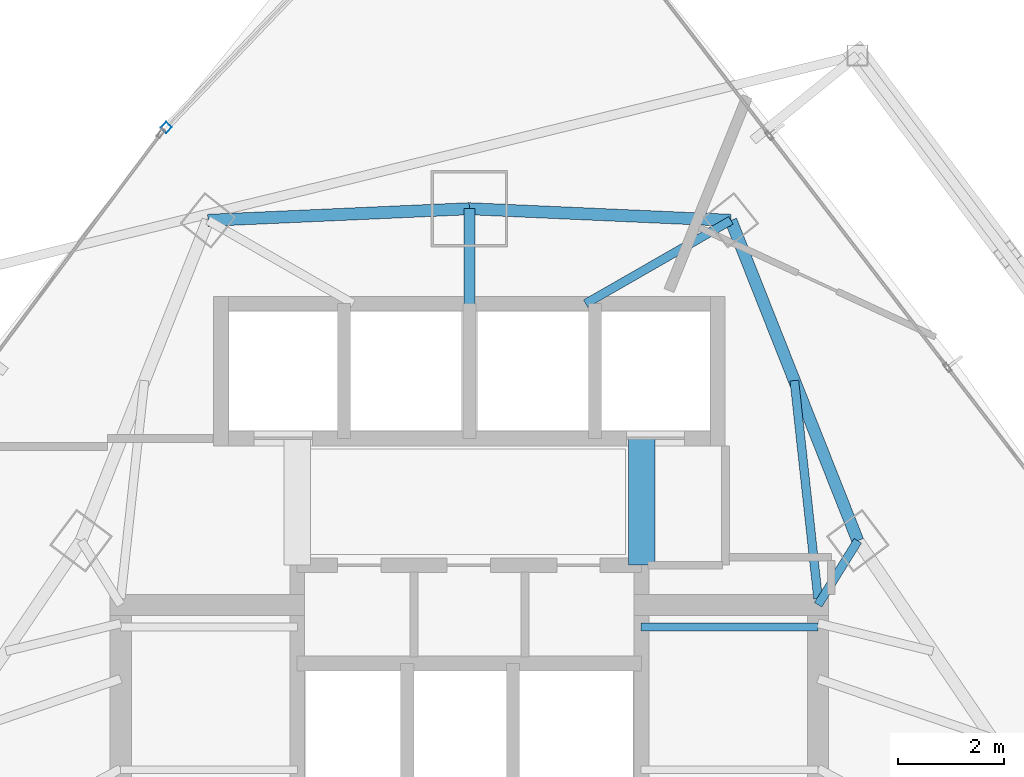
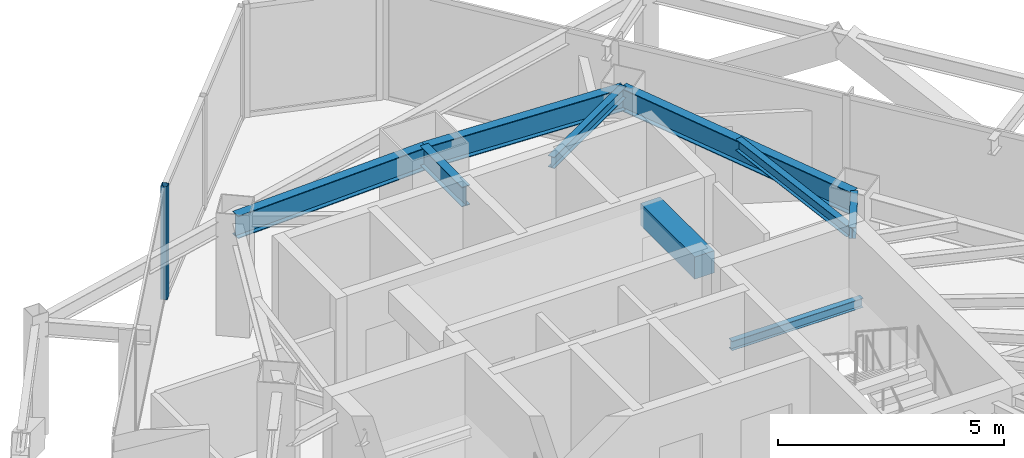
# One storey, part 21 of 31: 9 beams, 1 member, 1 element without a shape of its own.
"""IFC4 building model written with IfcOpenShell, lengths in metres."""

from ifc_helpers import new_model, si_unit, direction, frame, origin, origin_2d, place, context, subcontext, project, spatial, rectangle, hollow_rectangle, i_section, extrude, material, layer, layer_set, material_profile, profile_set, type_object, element, aggregate, save


model = new_model("IFC4")

# Units and contexts
model_context = context("Model", 3, precision=1e-05, world=origin(), true_north=direction((0.0, 1.0)))
body_context = subcontext(model_context, "Body", "Model", "MODEL_VIEW")
ifc_project = project(units=[si_unit("LENGTHUNIT", "METRE"), si_unit("AREAUNIT", "SQUARE_METRE"), si_unit("VOLUMEUNIT", "CUBIC_METRE"), si_unit("PLANEANGLEUNIT", "RADIAN"), si_unit("MASSUNIT", "GRAM", prefix="KILO")], contexts=[model_context])

# Site, building, storey
site_placement = place(None, origin())
site = spatial("IfcSite", under=ifc_project, at=site_placement, CompositionType="ELEMENT")
building_placement = place(site_placement, origin())
building = spatial("IfcBuilding", under=site, at=building_placement, Name="Orvanel Arch Residences", CompositionType="ELEMENT")
storey_placement = place(building_placement, frame((0.0, 0.0, 150.64990234375)))
storey = spatial("IfcBuildingStorey", under=building, at=storey_placement, Name="L42", CompositionType="ELEMENT", Elevation=150.64990234375)

# Beams
ifc_material_1 = material(Name="Structural steel AS/NZS 3679.1 Grade 300 (300 MPa)", Category="steel")
ifc_material_profile_1 = material_profile(ifc_material_1, i_section(OverallWidth=0.208984375, OverallDepth=0.532958984375, WebThickness=0.01025390625, FlangeThickness=0.015625, at=origin_2d()), Name="530UB92.4")
ifc_profile_set_1 = profile_set([ifc_material_profile_1], Name="Structural steel AS/NZS 3679.1 Grade 300 (300 MPa)")
beam_type_1 = type_object("IfcBeamType", Name="BG-530UB", PredefinedType="BEAM", material=ifc_profile_set_1)
beam_1_placement = place(storey_placement, frame((33.0, 39.550048828125, 2.794189453125), z_axis=(0.0, 1.0, 0.0), x_axis=(-1.0, 0.0, 0.0)))
element("IfcBeam", 1, at=beam_1_placement, inside=storey, type_object=beam_type_1, Name="L42 North Radial Girder", PredefinedType="BEAM", context=body_context, shape_type="SweptSolid", body=[
    extrude(i_section(OverallWidth=0.208984375, OverallDepth=0.532958984375, WebThickness=0.01025390625, FlangeThickness=0.015625, at=origin_2d()), origin(), (0.0, 0.0, 1.0), 1.847900390625),
])
ifc_material_profile_2 = material_profile(ifc_material_1, i_section(OverallWidth=0.14599609375, OverallDepth=0.251953125, WebThickness=0.006103515625, FlangeThickness=0.008544921875, at=origin_2d()), Name="250UB31.4")
ifc_profile_set_2 = profile_set([ifc_material_profile_2], Name="Structural steel AS/NZS 3679.1 Grade 300 (300 MPa)")
beam_type_2 = type_object("IfcBeamType", Name="BJ-250UB", PredefinedType="JOIST", material=ifc_profile_set_2)
beam_2_placement = place(storey_placement, frame((36.25, 33.47998046875, 1.32421875), z_axis=(1.0, 0.0, 0.0), x_axis=(0.0, 1.0, 0.0)))
element("IfcBeam", 2, at=beam_2_placement, inside=storey, type_object=beam_type_2, Name="L42 ST-2 Half-Landing Support Beam 1.2", PredefinedType="JOIST", context=body_context, shape_type="SweptSolid", body=[
    extrude(i_section(OverallWidth=0.14599609375, OverallDepth=0.251953125, WebThickness=0.006103515625, FlangeThickness=0.008544921875, at=origin_2d()), origin(), (0.0, 0.0, 1.0), 3.35009765625),
])
ifc_material_profile_3 = material_profile(ifc_material_1, i_section(OverallWidth=0.1650390625, OverallDepth=0.303955078125, WebThickness=0.006103515625, FlangeThickness=0.01025390625, at=origin_2d()), Name="310UB40.4")
ifc_profile_set_3 = profile_set([ifc_material_profile_3], Name="Structural steel AS/NZS 3679.1 Grade 300 (300 MPa)")
beam_type_3 = type_object("IfcBeamType", Name="BJ-310UB", PredefinedType="JOIST", material=ifc_profile_set_3)
beam_3_placement = place(storey_placement, frame((39.60009765625, 33.89990234375, 2.908203125), z_axis=(0.526843290616, 0.84996243866, 0.0), x_axis=(-0.84996243866, 0.526843290616, 0.0)))
element("IfcBeam", 3, at=beam_3_placement, inside=storey, type_object=beam_type_3, Name="L42 NNE Wing Floor Joist", PredefinedType="JOIST", context=body_context, shape_type="SweptSolid", body=[
    extrude(i_section(OverallWidth=0.1650390625, OverallDepth=0.303955078125, WebThickness=0.006103515625, FlangeThickness=0.01025390625, at=origin_2d()), origin(), (0.0, 0.0, 1.0), 1.42724609375),
])
beam_4_placement = place(storey_placement, frame((39.60009765625, 34.02001953125, 2.908203125), z_axis=(-0.108261441852, 0.99412245735, 0.0), x_axis=(-0.99412245735, -0.108261441852, 0.0)))
element("IfcBeam", 4, at=beam_4_placement, inside=storey, type_object=beam_type_3, Name="L42 NNE2 Wing Floor Joist", PredefinedType="JOIST", context=body_context, shape_type="SweptSolid", body=[
    extrude(i_section(OverallWidth=0.1650390625, OverallDepth=0.303955078125, WebThickness=0.006103515625, FlangeThickness=0.01025390625, at=origin_2d()), origin(), (0.0, 0.0, 1.0), 4.1494140625),
])
beam_5_placement = place(storey_placement, frame((35.199951171875, 39.60009765625, 2.908203125), z_axis=(0.86736513383, 0.497672306458, 0.0), x_axis=(-0.497672306458, 0.86736513383, 0.0)))
element("IfcBeam", 5, at=beam_5_placement, inside=storey, type_object=beam_type_3, Name="L42 MNE Wing Floor Joist", PredefinedType="JOIST", context=body_context, shape_type="SweptSolid", body=[
    extrude(i_section(OverallWidth=0.1650390625, OverallDepth=0.303955078125, WebThickness=0.006103515625, FlangeThickness=0.01025390625, at=origin_2d()), origin(), (0.0, 0.0, 1.0), 3.17041015625),
])
ifc_material_2 = material(Name="Concrete S65 (65 MPa)", Category="concrete")
ifc_material_profile_4 = material_profile(ifc_material_2, rectangle(XDim=0.5, YDim=0.60009765625, at=origin_2d()), Name="RC500x600")
ifc_profile_set_4 = profile_set([ifc_material_profile_4], Name="Concrete S65 (65 MPa)")
beam_type_4 = type_object("IfcBeamType", Name="CB-500x600", PredefinedType="LINTEL", material=ifc_profile_set_4)
beam_6_placement = place(storey_placement, frame((36.260009765625, 34.64990234375, 2.760009765625), z_axis=(0.0, 1.0, 0.0), x_axis=(-1.0, 0.0, 0.0)))
element("IfcBeam", 6, at=beam_6_placement, inside=storey, type_object=beam_type_4, Name="L42 East Core Lobby Coupling Lintel Beam", PredefinedType="LINTEL", context=body_context, shape_type="SweptSolid", body=[
    extrude(rectangle(XDim=0.5, YDim=0.60009765625, at=origin_2d()), origin(), (0.0, 0.0, 1.0), 2.400146484375),
])

# Curtain wall, member
ifc_material_3 = material(Name="Bronze-anodised aluminium AA6063-T6", Category="aluminium")
ifc_layer = layer(ifc_material_3, 0.18994140625)
ifc_layer_set = layer_set([ifc_layer], Name="Bronze-anodised aluminium AA6063-T6")
curtain_wall_type = type_object("IfcCurtainWallType", Name="CW5-CRN-SYS", PredefinedType="NOTDEFINED", material=ifc_layer_set)
curtain_wall_placement = place(storey_placement, origin())
curtain_wall = element("IfcCurtainWall", 7, at=curtain_wall_placement, inside=storey, type_object=curtain_wall_type, Name="L42 CW5-CRN-SYS Unitised Curtain Wall", PredefinedType="NOTDEFINED")
ifc_material_profile_5 = material_profile(ifc_material_3, hollow_rectangle(XDim=0.14990234375, YDim=0.14990234375, WallThickness=0.0048828125, at=origin_2d()), Name="ALU150x150x5")
ifc_profile_set_5 = profile_set([ifc_material_profile_5], Name="Bronze-anodised aluminium AA6063-T6")
member_type = type_object("IfcMemberType", Name="MUL-150x150", PredefinedType="MULLION", material=ifc_profile_set_5)
member_placement = place(storey_placement, frame((27.259765625, 42.937255859375, 0.0), z_axis=(0.0, 0.0, 1.0), x_axis=(0.723045752642, -0.69080014446, 0.0)))
member = element("IfcMember", 8, at=member_placement, type_object=member_type, Name="CW-S5 mullion 3", PredefinedType="MULLION", context=body_context, shape_type="SweptSolid", body=[
    extrude(hollow_rectangle(XDim=0.14990234375, YDim=0.14990234375, WallThickness=0.0048828125, at=origin_2d()), origin(), (0.0, 0.0, 1.0), 3.06005859375),
])
aggregate(curtain_wall, [member])

# Beams
ifc_material_profile_6 = material_profile(ifc_material_1, i_section(OverallWidth=0.22900390625, OverallDepth=0.612060546875, WebThickness=0.011962890625, FlangeThickness=0.01953125, at=origin_2d()), Name="610UB125")
ifc_profile_set_6 = profile_set([ifc_material_profile_6], Name="Structural steel AS/NZS 3679.1 Grade 300 (300 MPa)")
beam_type_5 = type_object("IfcBeamType", Name="SP-610UB", PredefinedType="SPANDREL", material=ifc_profile_set_6)
beam_7_placement = place(storey_placement, frame((40.35205078125, 35.113037109375, 2.754150390625), z_axis=(-0.368233143579, 0.929733484376, 0.0), x_axis=(-0.929733484376, -0.368233143579, 0.0)))
element("IfcBeam", 9, at=beam_7_placement, inside=storey, type_object=beam_type_5, Name="L42 Perimeter Spandrel Beam 13", PredefinedType="SPANDREL", context=body_context, shape_type="SweptSolid", body=[
    extrude(i_section(OverallWidth=0.22900390625, OverallDepth=0.612060546875, WebThickness=0.011962890625, FlangeThickness=0.01953125, at=origin_2d()), origin(), (0.0, 0.0, 1.0), 6.523193359375),
])
for number, where, z_axis, x_axis, name in (
    (10, (37.949951171875, 41.177978515625, 2.754150390625), (-0.999014049296, 0.044395149614, 0.0), (-0.044395149614, -0.999014049296, 0.0), "L42 Perimeter Spandrel Beam 14"),
    (11, (33.0, 41.39794921875, 2.754150390625), (-0.999014049296, -0.044395149614, 0.0), (0.044395149614, -0.999014049296, 0.0), "L42 Perimeter Spandrel Beam 15"),
):
    element("IfcBeam", number, at=place(storey_placement, frame(where, z_axis=z_axis, x_axis=x_axis)), inside=storey, type_object=beam_type_5, Name=name, PredefinedType="SPANDREL", context=body_context, shape_type="SweptSolid", body=[
        extrude(i_section(OverallWidth=0.22900390625, OverallDepth=0.612060546875, WebThickness=0.011962890625, FlangeThickness=0.01953125, at=origin_2d()), origin(), (0.0, 0.0, 1.0), 4.954833984375),
    ])

save(model, "model.ifc")
